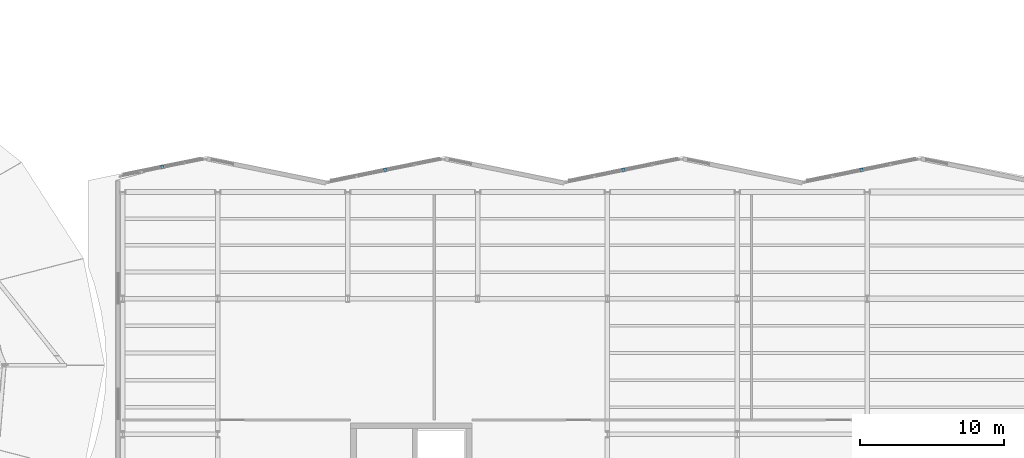
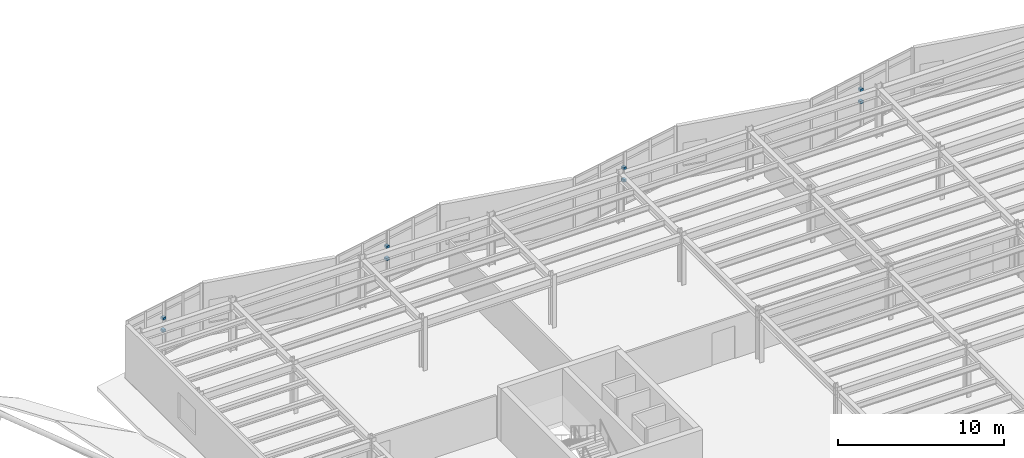
# One storey, part 53 of 59: 8 discrete accessories.
"""IFC4 building model written with IfcOpenShell, lengths in metres."""

from ifc_helpers import new_model, si_unit, direction, frame, origin, origin_2d, place, context, subcontext, project, spatial, rectangle, extrude, material, type_object, element, save


model = new_model("IFC4")

# Units and contexts
model_context = context("Model", 3, precision=1e-05, world=origin(), true_north=direction((0.0, 1.0)))
body_context = subcontext(model_context, "Body", "Model", "MODEL_VIEW")
ifc_project = project(units=[si_unit("LENGTHUNIT", "METRE"), si_unit("AREAUNIT", "SQUARE_METRE"), si_unit("VOLUMEUNIT", "CUBIC_METRE"), si_unit("PLANEANGLEUNIT", "RADIAN"), si_unit("MASSUNIT", "GRAM", prefix="KILO")], contexts=[model_context])

# Site, building, storey
site_placement = place(None, origin())
site = spatial("IfcSite", under=ifc_project, at=site_placement, CompositionType="ELEMENT")
building_placement = place(site_placement, origin())
building = spatial("IfcBuilding", under=site, at=building_placement, Name="Sollismere Congress Hotel", CompositionType="ELEMENT")
storey_placement = place(building_placement, frame((0.0, 0.0, 15.60009765625)))
storey = spatial("IfcBuildingStorey", under=building, at=storey_placement, Name="L03", CompositionType="ELEMENT", Elevation=15.60009765625)

# Discrete accessories
ifc_material = material(Name="Steel ASTM A572 Grade 50", Category="steel")
discrete_accessory_type = type_object("IfcDiscreteAccessoryType", Name="BRK-STL", PredefinedType="BRACKET", material=ifc_material)
for number, where, z_axis, x_axis, name in (
    (1, (63.1630859375, 104.131591796875, 1.70751953125), (0.0, 0.0, 1.0), (0.979924704621, 0.199367934417, 0.0), "BRK-SBK-014A"),
    (2, (63.1630859375, 104.131591796875, 2.607421875), (0.0, 0.0, 1.0), (0.979924704621, 0.199367934417, 0.0), "BRK-SBK-014B"),
    (3, (78.613037109375, 103.91796875, 1.70751953125), (0.0, 0.0, 1.0), (0.979924704621, 0.199367934417, 0.0), "BRK-SBK-015A"),
    (4, (78.613037109375, 103.91796875, 2.607421875), (0.0, 0.0, 1.0), (0.979924704621, 0.199367934417, 0.0), "BRK-SBK-015B"),
    (5, (95.113037109375, 103.91796875, 1.70751953125), (0.0, 0.0, 1.0), (0.979924704621, 0.199367934417, 0.0), "BRK-SBK-016A"),
    (6, (95.113037109375, 103.91796875, 2.607421875), (0.0, 0.0, 1.0), (0.979924704621, 0.199367934417, 0.0), "BRK-SBK-016B"),
    (7, (111.613037109375, 103.91796875, 1.70751953125), (0.0, 0.0, 1.0), (0.979924704621, 0.199367934417, 0.0), "BRK-SBK-017A"),
    (8, (111.613037109375, 103.91796875, 2.607421875), (0.0, 0.0, 1.0), (0.979924704621, 0.199367934417, 0.0), "BRK-SBK-017B"),
):
    element("IfcDiscreteAccessory", number, at=place(storey_placement, frame(where, z_axis=z_axis, x_axis=x_axis)), inside=storey, type_object=discrete_accessory_type, Name=name, PredefinedType="BRACKET", context=body_context, shape_type="SweptSolid", body=[
        extrude(rectangle(XDim=0.219970703125, YDim=0.239990234375, at=origin_2d()), origin(), (0.0, 0.0, 1.0), 0.179931640625),
    ])

save(model, "model.ifc")
